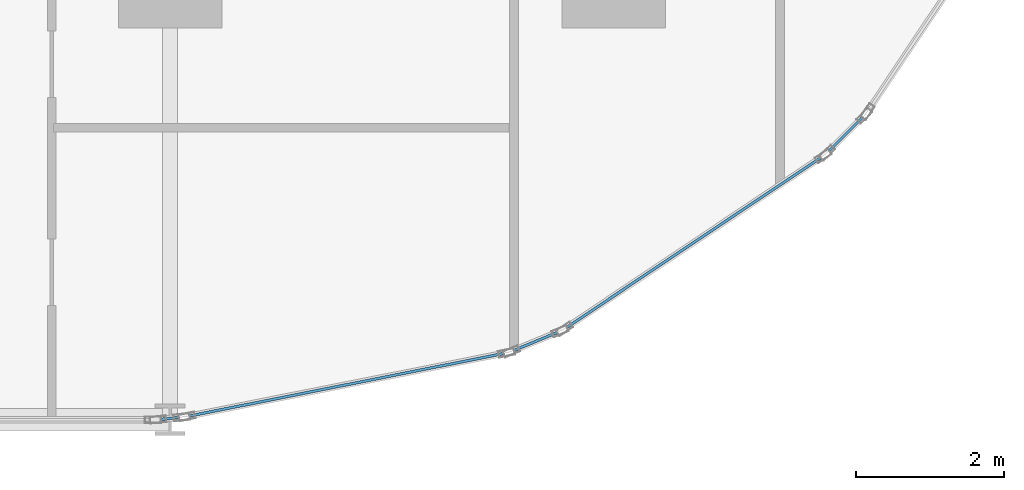
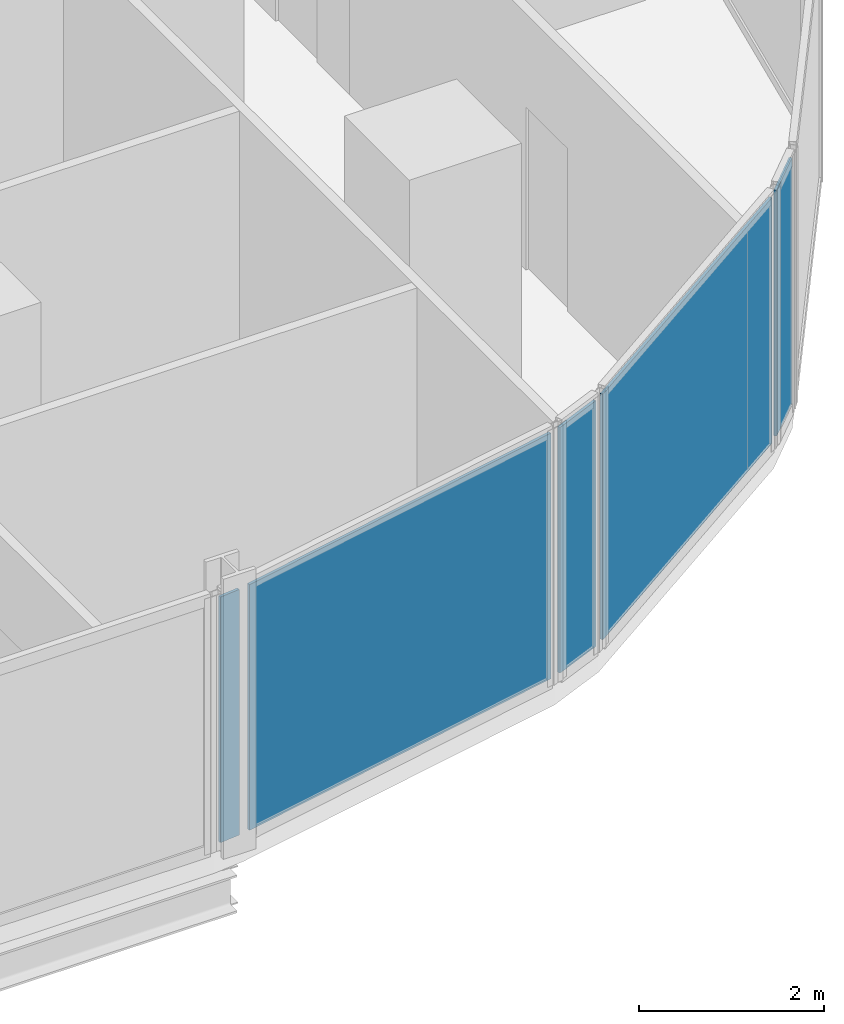
# One storey, part 22 of 34: 5 plates, 5 elements without a shape of their own.
"""IFC4 building model written with IfcOpenShell, lengths in metres."""

from ifc_helpers import new_model, si_unit, direction, frame, origin, origin_2d, place, context, subcontext, project, spatial, rectangle, extrude, material, layer, layer_set, type_object, element, aggregate, save


model = new_model("IFC4")

# Units and contexts
model_context = context("Model", 3, precision=1e-05, world=origin(), true_north=direction((0.0, 1.0)))
body_context = subcontext(model_context, "Body", "Model", "MODEL_VIEW")
ifc_project = project(units=[si_unit("LENGTHUNIT", "METRE"), si_unit("AREAUNIT", "SQUARE_METRE"), si_unit("VOLUMEUNIT", "CUBIC_METRE"), si_unit("PLANEANGLEUNIT", "RADIAN"), si_unit("MASSUNIT", "GRAM", prefix="KILO")], contexts=[model_context])

# Site, building, storey
site_placement = place(None, origin())
site = spatial("IfcSite", under=ifc_project, at=site_placement, CompositionType="ELEMENT")
building_placement = place(site_placement, origin())
building = spatial("IfcBuilding", under=site, at=building_placement, Name="Keshet Zoharim Tower", CompositionType="ELEMENT")
storey_placement = place(building_placement, frame((0.0, 0.0, 46.199951171875)))
storey = spatial("IfcBuildingStorey", under=building, at=storey_placement, Name="L10", CompositionType="ELEMENT", Elevation=46.199951171875)

# Curtain wall, plate
ifc_material_1 = material(Name="Aluminium 6063-T6", Category="aluminium")
ifc_layer_1 = layer(ifc_material_1, 0.179931640625)
ifc_layer_set_1 = layer_set([ifc_layer_1], Name="Aluminium 6063-T6")
curtain_wall_type = type_object("IfcCurtainWallType", Name="CW-SYS-01", PredefinedType="NOTDEFINED", material=ifc_layer_set_1)
curtain_wall_1_placement = place(storey_placement, origin())
curtain_wall_1 = element("IfcCurtainWall", 1, at=curtain_wall_1_placement, inside=storey, type_object=curtain_wall_type, Name="L10 Unitised Curtain Wall 21", PredefinedType="NOTDEFINED")
ifc_material_2 = material(Name="Insulated Low-E Clear Glass", Category="glass")
ifc_layer_2 = layer(ifc_material_2, 0.035888671875)
ifc_layer_set_2 = layer_set([ifc_layer_2], Name="Insulated Low-E Clear Glass")
plate_type = type_object("IfcPlateType", Name="CWP-01", PredefinedType="CURTAIN_PANEL", material=ifc_layer_set_2)
plate_1_placement = place(storey_placement, frame((66.137451171875, 4.5625, 0.070068359375), z_axis=(0.0, 0.0, 1.0), x_axis=(-0.707106781187, -0.707106781187, 0.0)))
plate_1 = element("IfcPlate", 2, at=plate_1_placement, type_object=plate_type, Name="CW-01 panel 1.1", PredefinedType="CURTAIN_PANEL", context=body_context, shape_type="SweptSolid", body=[
    extrude(rectangle(XDim=0.63916015625, YDim=0.035888671875, at=origin_2d()), origin(), (0.0, 0.0, 1.0), 3.2451171875),
])
aggregate(curtain_wall_1, [plate_1])

curtain_wall_2_placement = place(storey_placement, origin())
curtain_wall_2 = element("IfcCurtainWall", 3, at=curtain_wall_2_placement, inside=storey, type_object=curtain_wall_type, Name="L10 Unitised Curtain Wall 22", PredefinedType="NOTDEFINED")
plate_2_placement = place(storey_placement, frame((64.083984375, 3.09912109375, 0.070068359375), z_axis=(0.0, 0.0, 1.0), x_axis=(-0.831474282335, -0.555563243758, 0.0)))
plate_2 = element("IfcPlate", 4, at=plate_2_placement, type_object=plate_type, Name="CW-01 panel 1.1", PredefinedType="CURTAIN_PANEL", context=body_context, shape_type="SweptSolid", body=[
    extrude(rectangle(XDim=4.13671875, YDim=0.035888671875, at=origin_2d()), origin(), (0.0, 0.0, 1.0), 3.2451171875),
])
aggregate(curtain_wall_2, [plate_2])

curtain_wall_3_placement = place(storey_placement, origin())
curtain_wall_3 = element("IfcCurtainWall", 5, at=curtain_wall_3_placement, inside=storey, type_object=curtain_wall_type, Name="L10 Unitised Curtain Wall 23", PredefinedType="NOTDEFINED")
plate_3_placement = place(storey_placement, frame((61.945556640625, 1.761474609375, 0.070068359375), z_axis=(0.0, 0.0, 1.0), x_axis=(-0.923720000557, -0.383068349739, 0.0)))
plate_3 = element("IfcPlate", 6, at=plate_3_placement, type_object=plate_type, Name="CW-01 panel 1.1", PredefinedType="CURTAIN_PANEL", context=body_context, shape_type="SweptSolid", body=[
    extrude(rectangle(XDim=0.640625, YDim=0.035888671875, at=origin_2d()), origin(), (0.0, 0.0, 1.0), 3.2451171875),
])
aggregate(curtain_wall_3, [plate_3])

curtain_wall_4_placement = place(storey_placement, origin())
curtain_wall_4 = element("IfcCurtainWall", 7, at=curtain_wall_4_placement, inside=storey, type_object=curtain_wall_type, Name="L10 Unitised Curtain Wall 24", PredefinedType="NOTDEFINED")
plate_4_placement = place(storey_placement, frame((59.388916015625, 1.175048828125, 0.070068359375), z_axis=(0.0, 0.0, 1.0), x_axis=(-0.98076917357, -0.195171279072, 0.0)))
plate_4 = element("IfcPlate", 8, at=plate_4_placement, type_object=plate_type, Name="CW-01 panel 1.1", PredefinedType="CURTAIN_PANEL", context=body_context, shape_type="SweptSolid", body=[
    extrude(rectangle(XDim=4.338134765625, YDim=0.035888671875, at=origin_2d()), origin(), (0.0, 0.0, 1.0), 3.2451171875),
])
aggregate(curtain_wall_4, [plate_4])

curtain_wall_5_placement = place(storey_placement, origin())
curtain_wall_5 = element("IfcCurtainWall", 9, at=curtain_wall_5_placement, inside=storey, type_object=curtain_wall_type, Name="L10 Unitised Curtain Wall 25", PredefinedType="NOTDEFINED")
plate_5_placement = place(storey_placement, frame((56.998046875, 0.718994140625, 0.070068359375), z_axis=(0.0, 0.0, 1.0), x_axis=(-0.995286657009, -0.096976648633, 0.0)))
plate_5 = element("IfcPlate", 10, at=plate_5_placement, type_object=plate_type, Name="CW-01 panel 1.1", PredefinedType="CURTAIN_PANEL", context=body_context, shape_type="SweptSolid", body=[
    extrude(rectangle(XDim=0.251953125, YDim=0.035888671875, at=origin_2d()), origin(), (0.0, 0.0, 1.0), 3.2451171875),
])
aggregate(curtain_wall_5, [plate_5])

save(model, "model.ifc")
